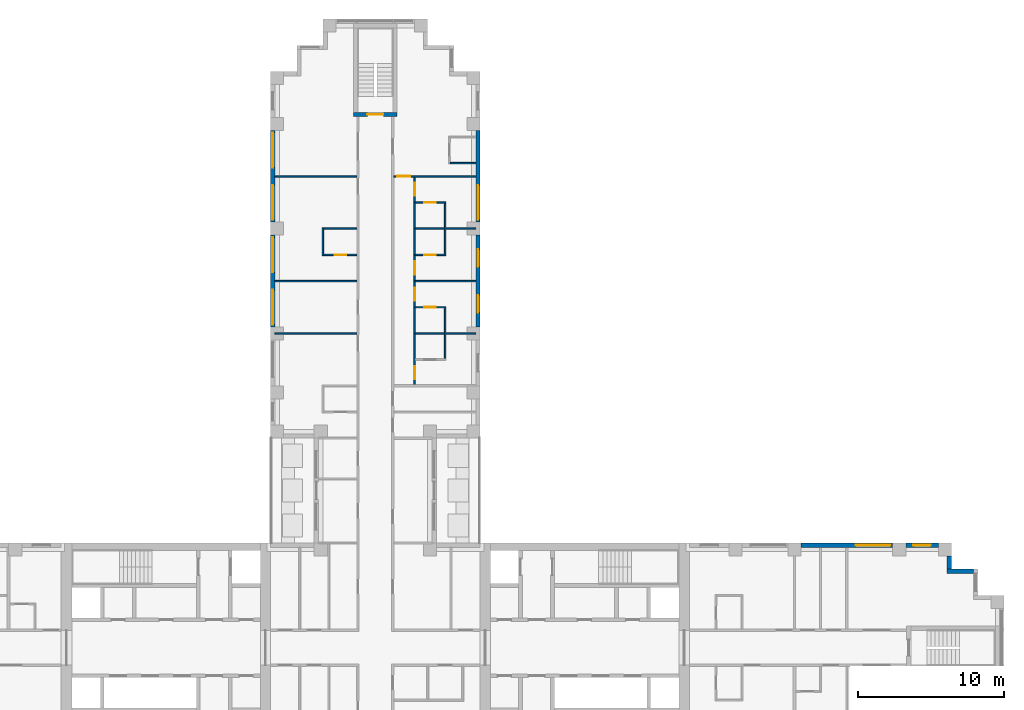
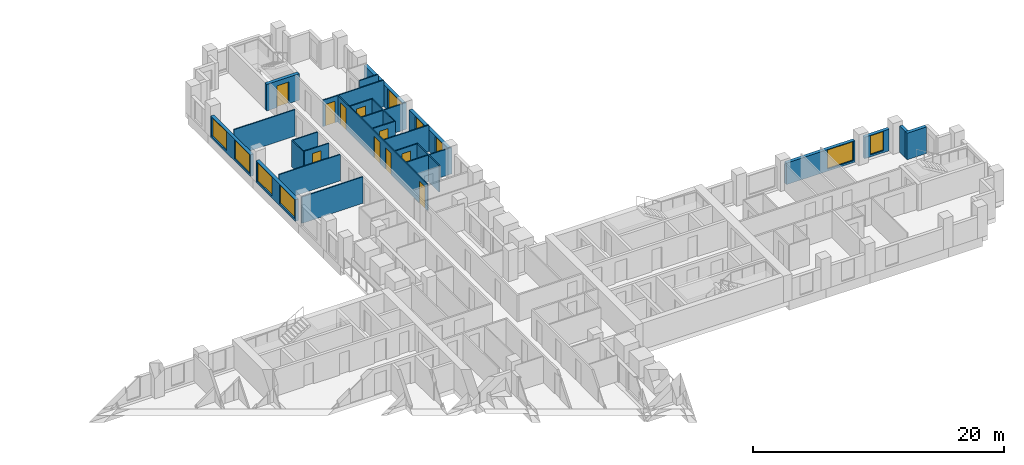
# One storey, part 11 of 15: 26 walls, 10 doors, 9 windows, 19 openings.
"""IFC4 building model written with IfcOpenShell, lengths in metres."""

from ifc_helpers import new_model, si_unit, direction, frame, frame_2d, origin, place, context, subcontext, project, spatial, rectangle, extrude, material, layer, layer_set, type_object, element, fill, save


model = new_model("IFC4")

# Units and contexts
model_context = context("Model", 3, precision=1e-05, world=origin(), true_north=direction((0.0, 1.0)))
body_context = subcontext(model_context, "Body", "Model", "MODEL_VIEW")
ifc_project = project(units=[si_unit("LENGTHUNIT", "METRE"), si_unit("AREAUNIT", "SQUARE_METRE"), si_unit("VOLUMEUNIT", "CUBIC_METRE"), si_unit("PLANEANGLEUNIT", "RADIAN"), si_unit("MASSUNIT", "GRAM", prefix="KILO")], contexts=[model_context])

# Site, building, storey
site_placement = place(None, origin())
site = spatial("IfcSite", under=ifc_project, at=site_placement, CompositionType="ELEMENT")
building_placement = place(site_placement, origin())
building = spatial("IfcBuilding", under=site, at=building_placement, Name="Fustian Cross Tower", CompositionType="ELEMENT")
storey_placement = place(building_placement, frame((0.0, 0.0, 53.699951171875)))
storey = spatial("IfcBuildingStorey", under=building, at=storey_placement, Name="L16", CompositionType="ELEMENT", Elevation=53.699951171875)

# Walls
ifc_material_1 = material(Name="Plasterboard on steel stud", Category="steel")
ifc_layer_1 = layer(ifc_material_1, 0.10009765625)
ifc_layer_set_1 = layer_set([ifc_layer_1], Name="Plasterboard on steel stud")
wall_type_1 = type_object("IfcWallType", Name="PARTITION 100 STUD", PredefinedType="PARTITIONING", material=ifc_layer_set_1)
for number, where, z_axis, x_axis, name in (
    (1, (-6.89990234375, 21.60009765625, 0.0), (0.0, 0.0, 1.0), (1.0, 0.0, 0.0), "Partition 19"),
    (2, (-6.89990234375, 25.199951171875, 0.0), (0.0, 0.0, 1.0), (1.0, 0.0, 0.0), "Partition 20"),
    (3, (-6.89990234375, 32.39990234375, 0.0), (0.0, 0.0, 1.0), (1.0, 0.0, 0.0), "Partition 21"),
):
    element("IfcWall", number, at=place(storey_placement, frame(where, z_axis=z_axis, x_axis=x_axis)), inside=storey, type_object=wall_type_1, Name=name, PredefinedType="PARTITIONING", context=body_context, shape_type="SweptSolid", body=[
        extrude(rectangle(XDim=5.625, YDim=0.10009765625, at=frame_2d((2.8125, 0.0))), origin(), (0.0, 0.0, 1.0), 2.574951171875),
    ])
wall_1_placement = place(storey_placement, frame((-3.60009765625, 26.949951171875, 0.0), z_axis=(0.0, 0.0, 1.0), x_axis=(0.0, 1.0, 0.0)))
element("IfcWall", 4, at=wall_1_placement, inside=storey, type_object=wall_type_1, Name="Partition 37", PredefinedType="PARTITIONING", context=body_context, shape_type="SweptSolid", body=[
    extrude(rectangle(XDim=1.900146484375, YDim=0.10009765625, at=frame_2d((0.9501953125, 0.0))), origin(), (0.0, 0.0, 1.0), 2.574951171875),
])

# Wall, opening, door
wall_2_placement = place(storey_placement, frame((-3.550048828125, 27.0, 0.0), z_axis=(0.0, 0.0, 1.0), x_axis=(1.0, 0.0, 0.0)))
wall_2 = element("IfcWall", 5, at=wall_2_placement, inside=storey, type_object=wall_type_1, Name="Partition 38", PredefinedType="PARTITIONING", context=body_context, shape_type="SweptSolid", body=[
    extrude(rectangle(XDim=2.275146484375, YDim=0.10009765625, at=frame_2d((1.1376953125, 0.0))), origin(), (0.0, 0.0, 1.0), 2.574951171875),
])
opening_1_placement = place(wall_2_placement, frame((0.75, 0.0, 0.0)))
opening_1 = element("IfcOpeningElement", 6, at=opening_1_placement, cuts=wall_2, Name="Opening D09027", PredefinedType="OPENING", context=body_context, shape_type="SweptSolid", body=[
    extrude(rectangle(XDim=0.800048828125, YDim=2.10009765625, at=frame_2d((0.39990234375, 1.050048828125))), frame((0.0, 0.06005859375, 0.0), z_axis=(0.0, -1.0, 0.0), x_axis=(1.0, 0.0, 0.0)), (0.0, 0.0, 1.0), 0.1201171875),
])
ifc_material_2 = material(Name="Painted timber", Category="wood")
door_type_1 = type_object("IfcDoorType", Name="SWING DOOR 800", OperationType="SINGLE_SWING_LEFT", PredefinedType="DOOR", material=ifc_material_2)
door_1_placement = place(opening_1_placement, origin())
door_1 = element("IfcDoor", 7, at=door_1_placement, inside=storey, type_object=door_type_1, Name="Door D09027", OperationType="SINGLE_SWING_LEFT", OverallHeight=2.10009765625, OverallWidth=0.800048828125, PredefinedType="DOOR", context=body_context, shape_type="SweptSolid", body=[
    extrude(rectangle(XDim=0.800048828125, YDim=2.10009765625, at=frame_2d((0.39990234375, 1.050048828125))), frame((0.0, 0.02490234375, 0.0), z_axis=(0.0, -1.0, 0.0), x_axis=(1.0, 0.0, 0.0)), (0.0, 0.0, 1.0), 0.050048828125),
])
fill(opening_1, door_1)

# Wall
wall_3_placement = place(storey_placement, frame((-3.550048828125, 28.800048828125, 0.0), z_axis=(0.0, 0.0, 1.0), x_axis=(1.0, 0.0, 0.0)))
element("IfcWall", 8, at=wall_3_placement, inside=storey, type_object=wall_type_1, Name="Partition 39", PredefinedType="PARTITIONING", context=body_context, shape_type="SweptSolid", body=[
    extrude(rectangle(XDim=2.275146484375, YDim=0.10009765625, at=frame_2d((1.1376953125, 0.0))), origin(), (0.0, 0.0, 1.0), 2.574951171875),
])

# Wall, opening, door
wall_4_placement = place(storey_placement, frame((1.27490234375, 32.39990234375, 0.0), z_axis=(0.0, 0.0, 1.0), x_axis=(1.0, 0.0, 0.0)))
wall_4 = element("IfcWall", 9, at=wall_4_placement, inside=storey, type_object=wall_type_1, Name="Partition 63", PredefinedType="PARTITIONING", context=body_context, shape_type="SweptSolid", body=[
    extrude(rectangle(XDim=5.625, YDim=0.10009765625, at=frame_2d((2.8125, 0.0))), origin(), (0.0, 0.0, 1.0), 2.574951171875),
])
opening_2_placement = place(wall_4_placement, frame((0.22509765625, 0.0, 0.0)))
opening_2 = element("IfcOpeningElement", 10, at=opening_2_placement, cuts=wall_4, Name="Opening D09035", PredefinedType="OPENING", context=body_context, shape_type="SweptSolid", body=[
    extrude(rectangle(XDim=0.89990234375, YDim=2.10009765625, at=frame_2d((0.449951171875, 1.050048828125))), frame((0.0, 0.06005859375, 0.0), z_axis=(0.0, -1.0, 0.0), x_axis=(1.0, 0.0, 0.0)), (0.0, 0.0, 1.0), 0.1201171875),
])
ifc_material_3 = material(Name="Painted timber", Category="wood")
door_type_2 = type_object("IfcDoorType", Name="SWING DOOR 900", OperationType="SINGLE_SWING_LEFT", PredefinedType="DOOR", material=ifc_material_3)
door_2_placement = place(opening_2_placement, frame((0.89990234375, 0.0, 0.0), z_axis=(0.0, 0.0, 1.0), x_axis=(-1.0, 0.0, 0.0)))
door_2 = element("IfcDoor", 11, at=door_2_placement, inside=storey, type_object=door_type_2, Name="Door D09035", OperationType="SINGLE_SWING_RIGHT", OverallHeight=2.10009765625, OverallWidth=0.89990234375, PredefinedType="DOOR", context=body_context, shape_type="SweptSolid", body=[
    extrude(rectangle(XDim=0.89990234375, YDim=2.10009765625, at=frame_2d((0.449951171875, 1.050048828125))), frame((0.0, 0.02490234375, 0.0), z_axis=(0.0, -1.0, 0.0), x_axis=(1.0, 0.0, 0.0)), (0.0, 0.0, 1.0), 0.050048828125),
])
fill(opening_2, door_2)

# Wall, openings, doors
wall_5_placement = place(storey_placement, frame((2.699951171875, 18.074951171875, 0.0), z_axis=(0.0, 0.0, 1.0), x_axis=(0.0, 1.0, 0.0)))
wall_5 = element("IfcWall", 12, at=wall_5_placement, inside=storey, type_object=wall_type_1, Name="Partition 68", PredefinedType="PARTITIONING", context=body_context, shape_type="SweptSolid", body=[
    extrude(rectangle(XDim=14.275146484375, YDim=0.10009765625, at=frame_2d((7.1376953125, 0.0))), origin(), (0.0, 0.0, 1.0), 2.574951171875),
])
opening_3_placement = place(wall_5_placement, frame((0.375, 0.0, 0.0)))
opening_3 = element("IfcOpeningElement", 13, at=opening_3_placement, cuts=wall_5, Name="Opening D09036", PredefinedType="OPENING", context=body_context, shape_type="SweptSolid", body=[
    extrude(rectangle(XDim=0.89990234375, YDim=2.10009765625, at=frame_2d((0.449951171875, 1.050048828125))), frame((0.0, 0.06005859375, 0.0), z_axis=(0.0, -1.0, 0.0), x_axis=(1.0, 0.0, 0.0)), (0.0, 0.0, 1.0), 0.1201171875),
])
opening_4_placement = place(wall_5_placement, frame((5.77490234375, 0.0, 0.0)))
opening_4 = element("IfcOpeningElement", 14, at=opening_4_placement, cuts=wall_5, Name="Opening D09037", PredefinedType="OPENING", context=body_context, shape_type="SweptSolid", body=[
    extrude(rectangle(XDim=0.89990234375, YDim=2.10009765625, at=frame_2d((0.449951171875, 1.050048828125))), frame((0.0, 0.06005859375, 0.0), z_axis=(0.0, -1.0, 0.0), x_axis=(1.0, 0.0, 0.0)), (0.0, 0.0, 1.0), 0.1201171875),
])
opening_5_placement = place(wall_5_placement, frame((7.574951171875, 0.0, 0.0)))
opening_5 = element("IfcOpeningElement", 15, at=opening_5_placement, cuts=wall_5, Name="Opening D09038", PredefinedType="OPENING", context=body_context, shape_type="SweptSolid", body=[
    extrude(rectangle(XDim=0.89990234375, YDim=2.10009765625, at=frame_2d((0.449951171875, 1.050048828125))), frame((0.0, 0.06005859375, 0.0), z_axis=(0.0, -1.0, 0.0), x_axis=(1.0, 0.0, 0.0)), (0.0, 0.0, 1.0), 0.1201171875),
])
opening_6_placement = place(wall_5_placement, frame((12.974853515625, 0.0, 0.0)))
opening_6 = element("IfcOpeningElement", 16, at=opening_6_placement, cuts=wall_5, Name="Opening D09039", PredefinedType="OPENING", context=body_context, shape_type="SweptSolid", body=[
    extrude(rectangle(XDim=0.89990234375, YDim=2.10009765625, at=frame_2d((0.449951171875, 1.050048828125))), frame((0.0, 0.06005859375, 0.0), z_axis=(0.0, -1.0, 0.0), x_axis=(1.0, 0.0, 0.0)), (0.0, 0.0, 1.0), 0.1201171875),
])
door_3_placement = place(opening_3_placement, frame((0.89990234375, 0.0, 0.0), z_axis=(0.0, 0.0, 1.0), x_axis=(-1.0, 0.0, 0.0)))
door_3 = element("IfcDoor", 17, at=door_3_placement, inside=storey, type_object=door_type_2, Name="Door D09036", OperationType="SINGLE_SWING_RIGHT", OverallHeight=2.10009765625, OverallWidth=0.89990234375, PredefinedType="DOOR", context=body_context, shape_type="SweptSolid", body=[
    extrude(rectangle(XDim=0.89990234375, YDim=2.10009765625, at=frame_2d((0.449951171875, 1.050048828125))), frame((0.0, 0.02490234375, 0.0), z_axis=(0.0, -1.0, 0.0), x_axis=(1.0, 0.0, 0.0)), (0.0, 0.0, 1.0), 0.050048828125),
])
fill(opening_3, door_3)
door_4_placement = place(opening_4_placement, frame((0.89990234375, 0.0, 0.0), z_axis=(0.0, 0.0, 1.0), x_axis=(-1.0, 0.0, 0.0)))
door_4 = element("IfcDoor", 18, at=door_4_placement, inside=storey, type_object=door_type_2, Name="Door D09037", OperationType="SINGLE_SWING_RIGHT", OverallHeight=2.10009765625, OverallWidth=0.89990234375, PredefinedType="DOOR", context=body_context, shape_type="SweptSolid", body=[
    extrude(rectangle(XDim=0.89990234375, YDim=2.10009765625, at=frame_2d((0.449951171875, 1.050048828125))), frame((0.0, 0.02490234375, 0.0), z_axis=(0.0, -1.0, 0.0), x_axis=(1.0, 0.0, 0.0)), (0.0, 0.0, 1.0), 0.050048828125),
])
fill(opening_4, door_4)
door_5_placement = place(opening_5_placement, frame((0.89990234375, 0.0, 0.0), z_axis=(0.0, 0.0, 1.0), x_axis=(-1.0, 0.0, 0.0)))
door_5 = element("IfcDoor", 19, at=door_5_placement, inside=storey, type_object=door_type_2, Name="Door D09038", OperationType="SINGLE_SWING_RIGHT", OverallHeight=2.10009765625, OverallWidth=0.89990234375, PredefinedType="DOOR", context=body_context, shape_type="SweptSolid", body=[
    extrude(rectangle(XDim=0.89990234375, YDim=2.10009765625, at=frame_2d((0.449951171875, 1.050048828125))), frame((0.0, 0.02490234375, 0.0), z_axis=(0.0, -1.0, 0.0), x_axis=(1.0, 0.0, 0.0)), (0.0, 0.0, 1.0), 0.050048828125),
])
fill(opening_5, door_5)
door_6_placement = place(opening_6_placement, frame((0.89990234375, 0.0, 0.0), z_axis=(0.0, 0.0, 1.0), x_axis=(-1.0, 0.0, 0.0)))
door_6 = element("IfcDoor", 20, at=door_6_placement, inside=storey, type_object=door_type_2, Name="Door D09039", OperationType="SINGLE_SWING_RIGHT", OverallHeight=2.10009765625, OverallWidth=0.89990234375, PredefinedType="DOOR", context=body_context, shape_type="SweptSolid", body=[
    extrude(rectangle(XDim=0.89990234375, YDim=2.10009765625, at=frame_2d((0.449951171875, 1.050048828125))), frame((0.0, 0.02490234375, 0.0), z_axis=(0.0, -1.0, 0.0), x_axis=(1.0, 0.0, 0.0)), (0.0, 0.0, 1.0), 0.050048828125),
])
fill(opening_6, door_6)

# Wall
wall_6_placement = place(storey_placement, frame((2.75, 21.60009765625, 0.0), z_axis=(0.0, 0.0, 1.0), x_axis=(1.0, 0.0, 0.0)))
element("IfcWall", 21, at=wall_6_placement, inside=storey, type_object=wall_type_1, Name="Partition 70", PredefinedType="PARTITIONING", context=body_context, shape_type="SweptSolid", body=[
    extrude(rectangle(XDim=4.14990234375, YDim=0.10009765625, at=frame_2d((2.074951171875, 0.0))), origin(), (0.0, 0.0, 1.0), 2.574951171875),
])

# Wall, opening, door
wall_7_placement = place(storey_placement, frame((2.75, 23.39990234375, 0.0), z_axis=(0.0, 0.0, 1.0), x_axis=(1.0, 0.0, 0.0)))
wall_7 = element("IfcWall", 22, at=wall_7_placement, inside=storey, type_object=wall_type_1, Name="Partition 71", PredefinedType="PARTITIONING", context=body_context, shape_type="SweptSolid", body=[
    extrude(rectangle(XDim=2.10009765625, YDim=0.10009765625, at=frame_2d((1.050048828125, 0.0))), origin(), (0.0, 0.0, 1.0), 2.574951171875),
])
opening_7_placement = place(wall_7_placement, frame((0.60009765625, 0.0, 0.0)))
opening_7 = element("IfcOpeningElement", 23, at=opening_7_placement, cuts=wall_7, Name="Opening D09041", PredefinedType="OPENING", context=body_context, shape_type="SweptSolid", body=[
    extrude(rectangle(XDim=0.800048828125, YDim=2.10009765625, at=frame_2d((0.39990234375, 1.050048828125))), frame((0.0, 0.06005859375, 0.0), z_axis=(0.0, -1.0, 0.0), x_axis=(1.0, 0.0, 0.0)), (0.0, 0.0, 1.0), 0.1201171875),
])
door_7_placement = place(opening_7_placement, frame((0.800048828125, 0.0, 0.0), z_axis=(0.0, 0.0, 1.0), x_axis=(-1.0, 0.0, 0.0)))
door_7 = element("IfcDoor", 24, at=door_7_placement, inside=storey, type_object=door_type_1, Name="Door D09041", OperationType="SINGLE_SWING_RIGHT", OverallHeight=2.10009765625, OverallWidth=0.800048828125, PredefinedType="DOOR", context=body_context, shape_type="SweptSolid", body=[
    extrude(rectangle(XDim=0.800048828125, YDim=2.10009765625, at=frame_2d((0.39990234375, 1.050048828125))), frame((0.0, 0.02490234375, 0.0), z_axis=(0.0, -1.0, 0.0), x_axis=(1.0, 0.0, 0.0)), (0.0, 0.0, 1.0), 0.050048828125),
])
fill(opening_7, door_7)

# Wall
wall_8_placement = place(storey_placement, frame((2.75, 25.199951171875, 0.0), z_axis=(0.0, 0.0, 1.0), x_axis=(1.0, 0.0, 0.0)))
element("IfcWall", 25, at=wall_8_placement, inside=storey, type_object=wall_type_1, Name="Partition 72", PredefinedType="PARTITIONING", context=body_context, shape_type="SweptSolid", body=[
    extrude(rectangle(XDim=4.14990234375, YDim=0.10009765625, at=frame_2d((2.074951171875, 0.0))), origin(), (0.0, 0.0, 1.0), 2.574951171875),
])

# Wall, opening, door
wall_9_placement = place(storey_placement, frame((2.75, 27.0, 0.0), z_axis=(0.0, 0.0, 1.0), x_axis=(1.0, 0.0, 0.0)))
wall_9 = element("IfcWall", 26, at=wall_9_placement, inside=storey, type_object=wall_type_1, Name="Partition 73", PredefinedType="PARTITIONING", context=body_context, shape_type="SweptSolid", body=[
    extrude(rectangle(XDim=2.10009765625, YDim=0.10009765625, at=frame_2d((1.050048828125, 0.0))), origin(), (0.0, 0.0, 1.0), 2.574951171875),
])
opening_8_placement = place(wall_9_placement, frame((0.60009765625, 0.0, 0.0)))
opening_8 = element("IfcOpeningElement", 27, at=opening_8_placement, cuts=wall_9, Name="Opening D09042", PredefinedType="OPENING", context=body_context, shape_type="SweptSolid", body=[
    extrude(rectangle(XDim=0.800048828125, YDim=2.10009765625, at=frame_2d((0.39990234375, 1.050048828125))), frame((0.0, 0.06005859375, 0.0), z_axis=(0.0, -1.0, 0.0), x_axis=(1.0, 0.0, 0.0)), (0.0, 0.0, 1.0), 0.1201171875),
])
door_8_placement = place(opening_8_placement, origin())
door_8 = element("IfcDoor", 28, at=door_8_placement, inside=storey, type_object=door_type_1, Name="Door D09042", OperationType="SINGLE_SWING_LEFT", OverallHeight=2.10009765625, OverallWidth=0.800048828125, PredefinedType="DOOR", context=body_context, shape_type="SweptSolid", body=[
    extrude(rectangle(XDim=0.800048828125, YDim=2.10009765625, at=frame_2d((0.39990234375, 1.050048828125))), frame((0.0, 0.02490234375, 0.0), z_axis=(0.0, -1.0, 0.0), x_axis=(1.0, 0.0, 0.0)), (0.0, 0.0, 1.0), 0.050048828125),
])
fill(opening_8, door_8)

# Wall
wall_10_placement = place(storey_placement, frame((2.75, 28.800048828125, 0.0), z_axis=(0.0, 0.0, 1.0), x_axis=(1.0, 0.0, 0.0)))
element("IfcWall", 29, at=wall_10_placement, inside=storey, type_object=wall_type_1, Name="Partition 74", PredefinedType="PARTITIONING", context=body_context, shape_type="SweptSolid", body=[
    extrude(rectangle(XDim=4.14990234375, YDim=0.10009765625, at=frame_2d((2.074951171875, 0.0))), origin(), (0.0, 0.0, 1.0), 2.574951171875),
])

# Wall, opening, door
wall_11_placement = place(storey_placement, frame((2.75, 30.60009765625, 0.0), z_axis=(0.0, 0.0, 1.0), x_axis=(1.0, 0.0, 0.0)))
wall_11 = element("IfcWall", 30, at=wall_11_placement, inside=storey, type_object=wall_type_1, Name="Partition 75", PredefinedType="PARTITIONING", context=body_context, shape_type="SweptSolid", body=[
    extrude(rectangle(XDim=2.10009765625, YDim=0.10009765625, at=frame_2d((1.050048828125, 0.0))), origin(), (0.0, 0.0, 1.0), 2.574951171875),
])
opening_9_placement = place(wall_11_placement, frame((0.60009765625, 0.0, 0.0)))
opening_9 = element("IfcOpeningElement", 31, at=opening_9_placement, cuts=wall_11, Name="Opening D09043", PredefinedType="OPENING", context=body_context, shape_type="SweptSolid", body=[
    extrude(rectangle(XDim=0.800048828125, YDim=2.10009765625, at=frame_2d((0.39990234375, 1.050048828125))), frame((0.0, 0.06005859375, 0.0), z_axis=(0.0, -1.0, 0.0), x_axis=(1.0, 0.0, 0.0)), (0.0, 0.0, 1.0), 0.1201171875),
])
door_9_placement = place(opening_9_placement, frame((0.800048828125, 0.0, 0.0), z_axis=(0.0, 0.0, 1.0), x_axis=(-1.0, 0.0, 0.0)))
door_9 = element("IfcDoor", 32, at=door_9_placement, inside=storey, type_object=door_type_1, Name="Door D09043", OperationType="SINGLE_SWING_RIGHT", OverallHeight=2.10009765625, OverallWidth=0.800048828125, PredefinedType="DOOR", context=body_context, shape_type="SweptSolid", body=[
    extrude(rectangle(XDim=0.800048828125, YDim=2.10009765625, at=frame_2d((0.39990234375, 1.050048828125))), frame((0.0, 0.02490234375, 0.0), z_axis=(0.0, -1.0, 0.0), x_axis=(1.0, 0.0, 0.0)), (0.0, 0.0, 1.0), 0.050048828125),
])
fill(opening_9, door_9)

# Walls
for number, where, z_axis, x_axis, name in (
    (33, (4.800048828125, 19.85009765625, 0.0), (0.0, 0.0, 1.0), (0.0, 1.0, 0.0), "Partition 78"),
    (34, (4.800048828125, 27.050048828125, 0.0), (0.0, 0.0, 1.0), (0.0, 1.0, 0.0), "Partition 79"),
):
    element("IfcWall", number, at=place(storey_placement, frame(where, z_axis=z_axis, x_axis=x_axis)), inside=storey, type_object=wall_type_1, Name=name, PredefinedType="PARTITIONING", context=body_context, shape_type="SweptSolid", body=[
        extrude(rectangle(XDim=3.5, YDim=0.10009765625, at=frame_2d((1.75, 0.0))), origin(), (0.0, 0.0, 1.0), 2.574951171875),
    ])
wall_12_placement = place(storey_placement, frame((5.14990234375, 33.300048828125, 0.0), z_axis=(0.0, 0.0, 1.0), x_axis=(1.0, 0.0, 0.0)))
element("IfcWall", 35, at=wall_12_placement, inside=storey, type_object=wall_type_1, Name="Partition 84", PredefinedType="PARTITIONING", context=body_context, shape_type="SweptSolid", body=[
    extrude(rectangle(XDim=1.75, YDim=0.10009765625, at=frame_2d((0.875, 0.0))), origin(), (0.0, 0.0, 1.0), 2.574951171875),
])

# Wall, opening, door
ifc_material_4 = material(Name="Concrete C50/60", Category="concrete")
ifc_layer_2 = layer(ifc_material_4, 0.300048828125)
ifc_layer_set_2 = layer_set([ifc_layer_2], Name="Concrete C50/60")
wall_type_2 = type_object("IfcWallType", Name="STAIR ENCLOSURE WALL 300 C50/60", PredefinedType="SHEAR", material=ifc_layer_set_2)
wall_13_placement = place(storey_placement, frame((-1.5, 36.64990234375, 0.0), z_axis=(0.0, 0.0, 1.0), x_axis=(1.0, 0.0, 0.0)))
wall_13 = element("IfcWall", 36, at=wall_13_placement, inside=storey, type_object=wall_type_2, Name="Stair enclosure wall", PredefinedType="SHEAR", context=body_context, shape_type="SweptSolid", body=[
    extrude(rectangle(XDim=3.0, YDim=0.300048828125, at=frame_2d((1.5, 0.0))), origin(), (0.0, 0.0, 1.0), 2.574951171875),
])
opening_10_placement = place(wall_13_placement, frame((0.949951171875, 0.0, 0.0)))
opening_10 = element("IfcOpeningElement", 37, at=opening_10_placement, cuts=wall_13, Name="Opening CD-06-31", PredefinedType="OPENING", context=body_context, shape_type="SweptSolid", body=[
    extrude(rectangle(XDim=1.10009765625, YDim=2.10009765625, at=frame_2d((0.550048828125, 1.050048828125))), frame((0.0, 0.159912109375, 0.0), z_axis=(0.0, -1.0, 0.0), x_axis=(1.0, 0.0, 0.0)), (0.0, 0.0, 1.0), 0.320068359375),
])
ifc_material_5 = material(Name="Steel", Category="steel")
door_type_3 = type_object("IfcDoorType", Name="FIRE DOOR FD60S 1100X2100", OperationType="SINGLE_SWING_LEFT", PredefinedType="DOOR", material=ifc_material_5)
door_10_placement = place(opening_10_placement, origin())
door_10 = element("IfcDoor", 38, at=door_10_placement, inside=storey, type_object=door_type_3, Name="Core door CD-06-31", OperationType="SINGLE_SWING_LEFT", OverallHeight=2.10009765625, OverallWidth=1.10009765625, PredefinedType="DOOR", context=body_context, shape_type="SweptSolid", body=[
    extrude(rectangle(XDim=1.10009765625, YDim=2.10009765625, at=frame_2d((0.550048828125, 1.050048828125))), frame((0.0, 0.02490234375, 0.0), z_axis=(0.0, -1.0, 0.0), x_axis=(1.0, 0.0, 0.0)), (0.0, 0.0, 1.0), 0.050048828125),
])
fill(opening_10, door_10)

# Walls
ifc_material_6 = material(Name="Dark aluminium cladding on insulated backing wall", Category="aluminium")
ifc_layer_3 = layer(ifc_material_6, 0.300048828125)
ifc_layer_set_3 = layer_set([ifc_layer_3], Name="Dark aluminium cladding on insulated backing wall")
wall_type_3 = type_object("IfcWallType", Name="XW1 EXTERNAL WALL 300", PredefinedType="SOLIDWALL", material=ifc_layer_set_3)
wall_14_placement = place(storey_placement, frame((41.10009765625, 5.25, 0.0), z_axis=(0.0, 0.0, 1.0), x_axis=(-1.0, 0.0, 0.0)))
element("IfcWall", 39, at=wall_14_placement, inside=storey, type_object=wall_type_3, Name="External wall", PredefinedType="SOLIDWALL", context=body_context, shape_type="SweptSolid", body=[
    extrude(rectangle(XDim=1.800048828125, YDim=0.300048828125, at=frame_2d((0.89990234375, 0.0))), origin(), (0.0, 0.0, 1.0), 2.574951171875),
])
wall_15_placement = place(storey_placement, frame((39.449951171875, 5.39990234375, 0.0), z_axis=(0.0, 0.0, 1.0), x_axis=(0.0, 1.0, 0.0)))
element("IfcWall", 40, at=wall_15_placement, inside=storey, type_object=wall_type_3, Name="External wall", PredefinedType="SOLIDWALL", context=body_context, shape_type="SweptSolid", body=[
    extrude(rectangle(XDim=0.900146484375, YDim=0.300048828125, at=frame_2d((0.4501953125, 0.0))), origin(), (0.0, 0.0, 1.0), 2.574951171875),
])

# Wall, opening, window
wall_16_placement = place(storey_placement, frame((38.699951171875, 7.050048828125, 0.0), z_axis=(0.0, 0.0, 1.0), x_axis=(-1.0, 0.0, 0.0)))
wall_16 = element("IfcWall", 41, at=wall_16_placement, inside=storey, type_object=wall_type_3, Name="External wall", PredefinedType="SOLIDWALL", context=body_context, shape_type="SweptSolid", body=[
    extrude(rectangle(XDim=2.25, YDim=0.300048828125, at=frame_2d((1.125, 0.0))), origin(), (0.0, 0.0, 1.0), 2.10009765625),
])
opening_11_placement = place(wall_16_placement, frame((0.52490234375, 0.0, 0.199951171875)))
opening_11 = element("IfcOpeningElement", 42, at=opening_11_placement, cuts=wall_16, Name="Opening WN3", PredefinedType="OPENING", context=body_context, shape_type="SweptSolid", body=[
    extrude(rectangle(XDim=1.199951171875, YDim=1.85009765625, at=frame_2d((0.60009765625, 0.925048828125))), frame((0.0, 0.159912109375, 0.0), z_axis=(0.0, -1.0, 0.0), x_axis=(1.0, 0.0, 0.0)), (0.0, 0.0, 1.0), 0.320068359375),
])
ifc_material_7 = material(Name="Dark anodised aluminium and double glazing", Category="aluminium")
window_type_1 = type_object("IfcWindowType", Name="WN3 WINDOW 1200X1850", PartitioningType="SINGLE_PANEL", PredefinedType="WINDOW", material=ifc_material_7)
window_1_placement = place(opening_11_placement, origin())
window_1 = element("IfcWindow", 43, at=window_1_placement, inside=storey, type_object=window_type_1, Name="Window", OverallHeight=1.85009765625, OverallWidth=1.199951171875, PartitioningType="SINGLE_PANEL", PredefinedType="WINDOW", context=body_context, shape_type="SweptSolid", body=[
    extrude(rectangle(XDim=1.199951171875, YDim=1.85009765625, at=frame_2d((0.60009765625, 0.925048828125))), frame((0.0, 0.030029296875, 0.0), z_axis=(0.0, -1.0, 0.0), x_axis=(1.0, 0.0, 0.0)), (0.0, 0.0, 1.0), 0.06005859375),
])
fill(opening_11, window_1)

wall_17_placement = place(storey_placement, frame((35.550048828125, 7.050048828125, 0.0), z_axis=(0.0, 0.0, 1.0), x_axis=(-1.0, 0.0, 0.0)))
wall_17 = element("IfcWall", 44, at=wall_17_placement, inside=storey, type_object=wall_type_3, Name="External wall", PredefinedType="SOLIDWALL", context=body_context, shape_type="SweptSolid", body=[
    extrude(rectangle(XDim=6.300048828125, YDim=0.300048828125, at=frame_2d((3.14990234375, 0.0))), origin(), (0.0, 0.0, 1.0), 2.10009765625),
])
opening_12_placement = place(wall_17_placement, frame((0.14990234375, 0.0, 0.199951171875)))
opening_12 = element("IfcOpeningElement", 45, at=opening_12_placement, cuts=wall_17, Name="Opening WN1", PredefinedType="OPENING", context=body_context, shape_type="SweptSolid", body=[
    extrude(rectangle(XDim=2.39990234375, YDim=1.85009765625, at=frame_2d((1.199951171875, 0.925048828125))), frame((0.0, 0.159912109375, 0.0), z_axis=(0.0, -1.0, 0.0), x_axis=(1.0, 0.0, 0.0)), (0.0, 0.0, 1.0), 0.320068359375),
])
ifc_material_8 = material(Name="Dark anodised aluminium and double glazing", Category="aluminium")
window_type_2 = type_object("IfcWindowType", Name="WN1 WINDOW 2400X1850", PartitioningType="SINGLE_PANEL", PredefinedType="WINDOW", material=ifc_material_8)
window_2_placement = place(opening_12_placement, origin())
window_2 = element("IfcWindow", 46, at=window_2_placement, inside=storey, type_object=window_type_2, Name="Window", OverallHeight=1.85009765625, OverallWidth=2.39990234375, PartitioningType="SINGLE_PANEL", PredefinedType="WINDOW", context=body_context, shape_type="SweptSolid", body=[
    extrude(rectangle(XDim=2.39990234375, YDim=1.85009765625, at=frame_2d((1.199951171875, 0.925048828125))), frame((0.0, 0.030029296875, 0.0), z_axis=(0.0, -1.0, 0.0), x_axis=(1.0, 0.0, 0.0)), (0.0, 0.0, 1.0), 0.06005859375),
])
fill(opening_12, window_2)

# Wall, openings, windows
wall_18_placement = place(storey_placement, frame((7.050048828125, 22.050048828125, 0.0), z_axis=(0.0, 0.0, 1.0), x_axis=(0.0, 1.0, 0.0)))
wall_18 = element("IfcWall", 47, at=wall_18_placement, inside=storey, type_object=wall_type_3, Name="External wall", PredefinedType="SOLIDWALL", context=body_context, shape_type="SweptSolid", body=[
    extrude(rectangle(XDim=6.300048828125, YDim=0.300048828125, at=frame_2d((3.14990234375, 0.0))), origin(), (0.0, 0.0, 1.0), 2.10009765625),
])
opening_13_placement = place(wall_18_placement, frame((0.97509765625, 0.0, 0.199951171875)))
opening_13 = element("IfcOpeningElement", 48, at=opening_13_placement, cuts=wall_18, Name="Opening WN3", PredefinedType="OPENING", context=body_context, shape_type="SweptSolid", body=[
    extrude(rectangle(XDim=1.199951171875, YDim=1.85009765625, at=frame_2d((0.60009765625, 0.925048828125))), frame((0.0, 0.159912109375, 0.0), z_axis=(0.0, -1.0, 0.0), x_axis=(1.0, 0.0, 0.0)), (0.0, 0.0, 1.0), 0.320068359375),
])
opening_14_placement = place(wall_18_placement, frame((4.125, 0.0, 0.199951171875)))
opening_14 = element("IfcOpeningElement", 49, at=opening_14_placement, cuts=wall_18, Name="Opening WN3", PredefinedType="OPENING", context=body_context, shape_type="SweptSolid", body=[
    extrude(rectangle(XDim=1.199951171875, YDim=1.85009765625, at=frame_2d((0.60009765625, 0.925048828125))), frame((0.0, 0.159912109375, 0.0), z_axis=(0.0, -1.0, 0.0), x_axis=(1.0, 0.0, 0.0)), (0.0, 0.0, 1.0), 0.320068359375),
])
window_3_placement = place(opening_13_placement, origin())
window_3 = element("IfcWindow", 50, at=window_3_placement, inside=storey, type_object=window_type_1, Name="Window", OverallHeight=1.85009765625, OverallWidth=1.199951171875, PartitioningType="SINGLE_PANEL", PredefinedType="WINDOW", context=body_context, shape_type="SweptSolid", body=[
    extrude(rectangle(XDim=1.199951171875, YDim=1.85009765625, at=frame_2d((0.60009765625, 0.925048828125))), frame((0.0, 0.030029296875, 0.0), z_axis=(0.0, -1.0, 0.0), x_axis=(1.0, 0.0, 0.0)), (0.0, 0.0, 1.0), 0.06005859375),
])
fill(opening_13, window_3)
window_4_placement = place(opening_14_placement, origin())
window_4 = element("IfcWindow", 51, at=window_4_placement, inside=storey, type_object=window_type_1, Name="Window", OverallHeight=1.85009765625, OverallWidth=1.199951171875, PartitioningType="SINGLE_PANEL", PredefinedType="WINDOW", context=body_context, shape_type="SweptSolid", body=[
    extrude(rectangle(XDim=1.199951171875, YDim=1.85009765625, at=frame_2d((0.60009765625, 0.925048828125))), frame((0.0, 0.030029296875, 0.0), z_axis=(0.0, -1.0, 0.0), x_axis=(1.0, 0.0, 0.0)), (0.0, 0.0, 1.0), 0.06005859375),
])
fill(opening_14, window_4)

# Wall, opening, window
wall_19_placement = place(storey_placement, frame((7.050048828125, 29.25, 0.0), z_axis=(0.0, 0.0, 1.0), x_axis=(0.0, 1.0, 0.0)))
wall_19 = element("IfcWall", 52, at=wall_19_placement, inside=storey, type_object=wall_type_3, Name="External wall", PredefinedType="SOLIDWALL", context=body_context, shape_type="SweptSolid", body=[
    extrude(rectangle(XDim=6.300048828125, YDim=0.300048828125, at=frame_2d((3.14990234375, 0.0))), origin(), (0.0, 0.0, 1.0), 2.10009765625),
])
opening_15_placement = place(wall_19_placement, frame((0.14990234375, 0.0, 0.199951171875)))
opening_15 = element("IfcOpeningElement", 53, at=opening_15_placement, cuts=wall_19, Name="Opening WN1", PredefinedType="OPENING", context=body_context, shape_type="SweptSolid", body=[
    extrude(rectangle(XDim=2.39990234375, YDim=1.85009765625, at=frame_2d((1.199951171875, 0.925048828125))), frame((0.0, 0.159912109375, 0.0), z_axis=(0.0, -1.0, 0.0), x_axis=(1.0, 0.0, 0.0)), (0.0, 0.0, 1.0), 0.320068359375),
])
window_5_placement = place(opening_15_placement, origin())
window_5 = element("IfcWindow", 54, at=window_5_placement, inside=storey, type_object=window_type_2, Name="Window", OverallHeight=1.85009765625, OverallWidth=2.39990234375, PartitioningType="SINGLE_PANEL", PredefinedType="WINDOW", context=body_context, shape_type="SweptSolid", body=[
    extrude(rectangle(XDim=2.39990234375, YDim=1.85009765625, at=frame_2d((1.199951171875, 0.925048828125))), frame((0.0, 0.030029296875, 0.0), z_axis=(0.0, -1.0, 0.0), x_axis=(1.0, 0.0, 0.0)), (0.0, 0.0, 1.0), 0.06005859375),
])
fill(opening_15, window_5)

# Wall, openings, windows
wall_20_placement = place(storey_placement, frame((-7.050048828125, 35.550048828125, 0.0), z_axis=(0.0, 0.0, 1.0), x_axis=(0.0, -1.0, 0.0)))
wall_20 = element("IfcWall", 55, at=wall_20_placement, inside=storey, type_object=wall_type_3, Name="External wall", PredefinedType="SOLIDWALL", context=body_context, shape_type="SweptSolid", body=[
    extrude(rectangle(XDim=6.300048828125, YDim=0.300048828125, at=frame_2d((3.14990234375, 0.0))), origin(), (0.0, 0.0, 1.0), 2.10009765625),
])
opening_16_placement = place(wall_20_placement, frame((0.14990234375, 0.0, 0.199951171875)))
opening_16 = element("IfcOpeningElement", 56, at=opening_16_placement, cuts=wall_20, Name="Opening WN1", PredefinedType="OPENING", context=body_context, shape_type="SweptSolid", body=[
    extrude(rectangle(XDim=2.39990234375, YDim=1.85009765625, at=frame_2d((1.199951171875, 0.925048828125))), frame((0.0, 0.159912109375, 0.0), z_axis=(0.0, -1.0, 0.0), x_axis=(1.0, 0.0, 0.0)), (0.0, 0.0, 1.0), 0.320068359375),
])
opening_17_placement = place(wall_20_placement, frame((3.75, 0.0, 0.199951171875)))
opening_17 = element("IfcOpeningElement", 57, at=opening_17_placement, cuts=wall_20, Name="Opening WN1", PredefinedType="OPENING", context=body_context, shape_type="SweptSolid", body=[
    extrude(rectangle(XDim=2.39990234375, YDim=1.85009765625, at=frame_2d((1.199951171875, 0.925048828125))), frame((0.0, 0.159912109375, 0.0), z_axis=(0.0, -1.0, 0.0), x_axis=(1.0, 0.0, 0.0)), (0.0, 0.0, 1.0), 0.320068359375),
])
window_6_placement = place(opening_16_placement, origin())
window_6 = element("IfcWindow", 58, at=window_6_placement, inside=storey, type_object=window_type_2, Name="Window", OverallHeight=1.85009765625, OverallWidth=2.39990234375, PartitioningType="SINGLE_PANEL", PredefinedType="WINDOW", context=body_context, shape_type="SweptSolid", body=[
    extrude(rectangle(XDim=2.39990234375, YDim=1.85009765625, at=frame_2d((1.199951171875, 0.925048828125))), frame((0.0, 0.030029296875, 0.0), z_axis=(0.0, -1.0, 0.0), x_axis=(1.0, 0.0, 0.0)), (0.0, 0.0, 1.0), 0.06005859375),
])
fill(opening_16, window_6)
window_7_placement = place(opening_17_placement, origin())
window_7 = element("IfcWindow", 59, at=window_7_placement, inside=storey, type_object=window_type_2, Name="Window", OverallHeight=1.85009765625, OverallWidth=2.39990234375, PartitioningType="SINGLE_PANEL", PredefinedType="WINDOW", context=body_context, shape_type="SweptSolid", body=[
    extrude(rectangle(XDim=2.39990234375, YDim=1.85009765625, at=frame_2d((1.199951171875, 0.925048828125))), frame((0.0, 0.030029296875, 0.0), z_axis=(0.0, -1.0, 0.0), x_axis=(1.0, 0.0, 0.0)), (0.0, 0.0, 1.0), 0.06005859375),
])
fill(opening_17, window_7)

wall_21_placement = place(storey_placement, frame((-7.050048828125, 28.35009765625, 0.0), z_axis=(0.0, 0.0, 1.0), x_axis=(0.0, -1.0, 0.0)))
wall_21 = element("IfcWall", 60, at=wall_21_placement, inside=storey, type_object=wall_type_3, Name="External wall", PredefinedType="SOLIDWALL", context=body_context, shape_type="SweptSolid", body=[
    extrude(rectangle(XDim=6.300048828125, YDim=0.300048828125, at=frame_2d((3.14990234375, 0.0))), origin(), (0.0, 0.0, 1.0), 2.10009765625),
])
opening_18_placement = place(wall_21_placement, frame((0.14990234375, 0.0, 0.199951171875)))
opening_18 = element("IfcOpeningElement", 61, at=opening_18_placement, cuts=wall_21, Name="Opening WN1", PredefinedType="OPENING", context=body_context, shape_type="SweptSolid", body=[
    extrude(rectangle(XDim=2.39990234375, YDim=1.85009765625, at=frame_2d((1.199951171875, 0.925048828125))), frame((0.0, 0.159912109375, 0.0), z_axis=(0.0, -1.0, 0.0), x_axis=(1.0, 0.0, 0.0)), (0.0, 0.0, 1.0), 0.320068359375),
])
opening_19_placement = place(wall_21_placement, frame((3.75, 0.0, 0.199951171875)))
opening_19 = element("IfcOpeningElement", 62, at=opening_19_placement, cuts=wall_21, Name="Opening WN1", PredefinedType="OPENING", context=body_context, shape_type="SweptSolid", body=[
    extrude(rectangle(XDim=2.39990234375, YDim=1.85009765625, at=frame_2d((1.199951171875, 0.925048828125))), frame((0.0, 0.159912109375, 0.0), z_axis=(0.0, -1.0, 0.0), x_axis=(1.0, 0.0, 0.0)), (0.0, 0.0, 1.0), 0.320068359375),
])
window_8_placement = place(opening_18_placement, origin())
window_8 = element("IfcWindow", 63, at=window_8_placement, inside=storey, type_object=window_type_2, Name="Window", OverallHeight=1.85009765625, OverallWidth=2.39990234375, PartitioningType="SINGLE_PANEL", PredefinedType="WINDOW", context=body_context, shape_type="SweptSolid", body=[
    extrude(rectangle(XDim=2.39990234375, YDim=1.85009765625, at=frame_2d((1.199951171875, 0.925048828125))), frame((0.0, 0.030029296875, 0.0), z_axis=(0.0, -1.0, 0.0), x_axis=(1.0, 0.0, 0.0)), (0.0, 0.0, 1.0), 0.06005859375),
])
fill(opening_18, window_8)
window_9_placement = place(opening_19_placement, origin())
window_9 = element("IfcWindow", 64, at=window_9_placement, inside=storey, type_object=window_type_2, Name="Window", OverallHeight=1.85009765625, OverallWidth=2.39990234375, PartitioningType="SINGLE_PANEL", PredefinedType="WINDOW", context=body_context, shape_type="SweptSolid", body=[
    extrude(rectangle(XDim=2.39990234375, YDim=1.85009765625, at=frame_2d((1.199951171875, 0.925048828125))), frame((0.0, 0.030029296875, 0.0), z_axis=(0.0, -1.0, 0.0), x_axis=(1.0, 0.0, 0.0)), (0.0, 0.0, 1.0), 0.06005859375),
])
fill(opening_19, window_9)

save(model, "model.ifc")
